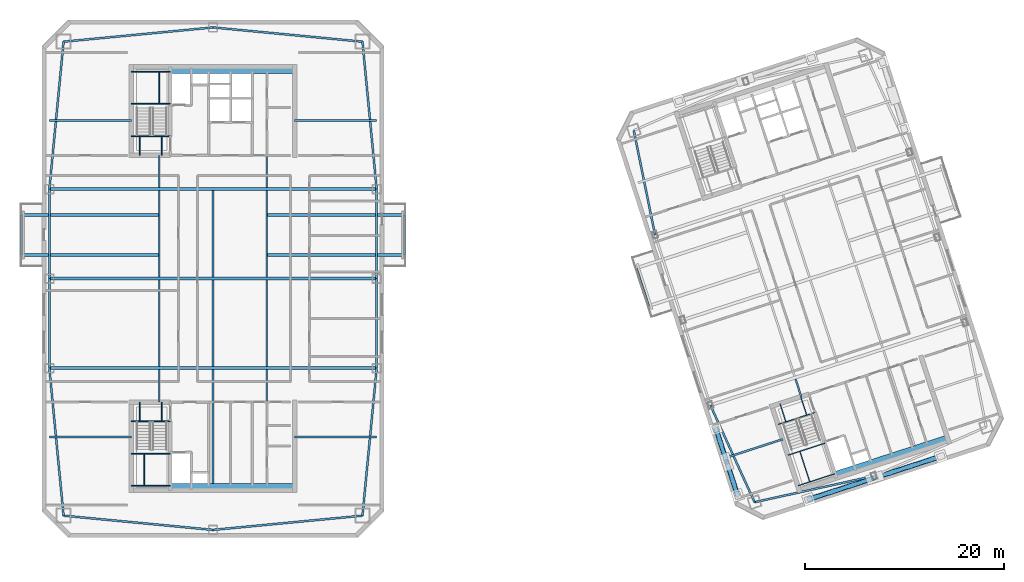
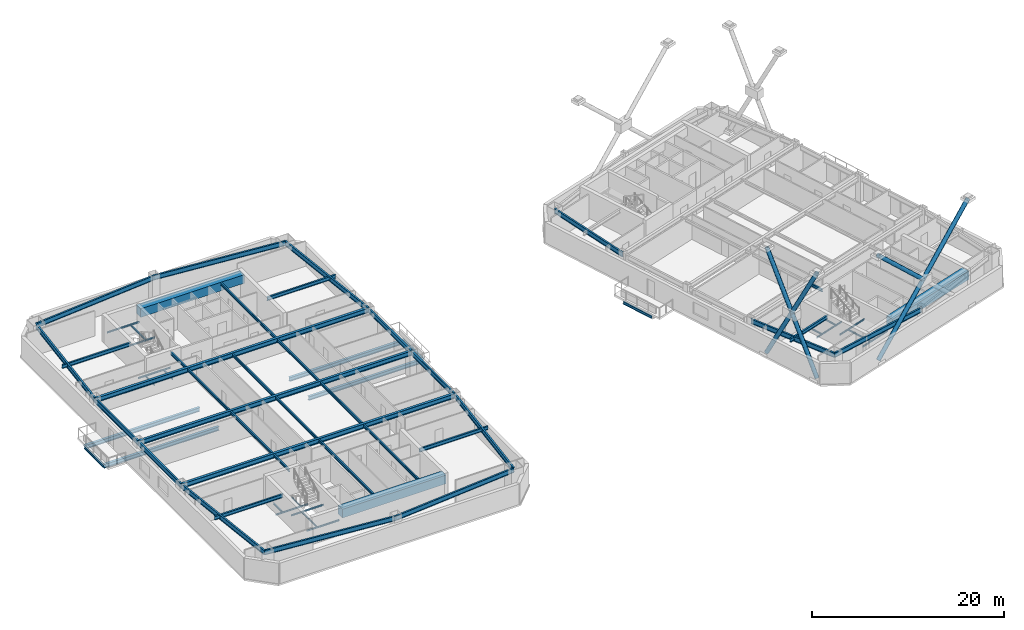
# One storey, part 3 of 16: 63 beams, 7 members.
"""IFC4 building model written with IfcOpenShell, lengths in metres."""

from ifc_helpers import new_model, si_unit, direction, frame, origin, origin_2d, place, context, subcontext, project, spatial, rectangle, hollow_circle, i_section, extrude, material, material_profile, profile_set, type_object, element, save


model = new_model("IFC4")

# Units and contexts
model_context = context("Model", 3, precision=1e-05, world=origin(), true_north=direction((0.0, 1.0)))
body_context = subcontext(model_context, "Body", "Model", "MODEL_VIEW")
ifc_project = project(units=[si_unit("LENGTHUNIT", "METRE"), si_unit("AREAUNIT", "SQUARE_METRE"), si_unit("VOLUMEUNIT", "CUBIC_METRE"), si_unit("PLANEANGLEUNIT", "RADIAN"), si_unit("MASSUNIT", "GRAM", prefix="KILO")], contexts=[model_context])

# Site, building, storey
site_placement = place(None, origin())
site = spatial("IfcSite", under=ifc_project, at=site_placement, CompositionType="ELEMENT")
building_placement = place(site_placement, origin())
building = spatial("IfcBuilding", under=site, at=building_placement, Name="Qiaolan Cultural Towers", CompositionType="ELEMENT")
storey_placement = place(building_placement, frame((0.0, 0.0, 198.949951171875)))
storey = spatial("IfcBuildingStorey", under=building, at=storey_placement, Name="L53", CompositionType="ELEMENT", Elevation=198.949951171875)

# Beams
ifc_material_1 = material(Name="Steel Q355B", Category="steel")
ifc_material_profile_1 = material_profile(ifc_material_1, i_section(OverallWidth=0.300048828125, OverallDepth=0.488037109375, WebThickness=0.010986328125, FlangeThickness=0.01806640625, at=origin_2d()), Name="HM488x300x11x18")
ifc_profile_set_1 = profile_set([ifc_material_profile_1], Name="Steel Q355B")
beam_type_1 = type_object("IfcBeamType", Name="BM-HM488x300x11x18", PredefinedType="BEAM", material=ifc_profile_set_1)
for number, where, z_axis, x_axis, name in (
    (1, (24.60009765625, 36.39990234375, -0.52392578125), (-1.0, 0.0, 0.0), (0.0, -1.0, 0.0), "L53 T1 Tree Balcony Back-Spanned Bracket Beam"),
    (2, (24.60009765625, 40.39990234375, -0.52392578125), (-1.0, 0.0, 0.0), (0.0, -1.0, 0.0), "L53 T1 Tree Balcony Back-Spanned Bracket Beam"),
    (3, (35.39990234375, 36.39990234375, -0.52392578125), (1.0, 0.0, 0.0), (0.0, 1.0, 0.0), "L53 T1 Tree Balcony Back-Spanned Bracket Beam"),
    (4, (35.39990234375, 40.39990234375, -0.52392578125), (1.0, 0.0, 0.0), (0.0, 1.0, 0.0), "L53 T1 Tree Balcony Back-Spanned Bracket Beam"),
):
    element("IfcBeam", number, at=place(storey_placement, frame(where, z_axis=z_axis, x_axis=x_axis)), inside=storey, type_object=beam_type_1, Name=name, PredefinedType="BEAM", context=body_context, shape_type="SweptSolid", body=[
        extrude(i_section(OverallWidth=0.300048828125, OverallDepth=0.488037109375, WebThickness=0.010986328125, FlangeThickness=0.01806640625, at=origin_2d()), origin(), (0.0, 0.0, 1.0), 13.85009765625),
    ])
ifc_material_2 = material(Name="Steel Q355B", Category="steel")
ifc_material_profile_2 = material_profile(ifc_material_2, i_section(OverallWidth=0.300048828125, OverallDepth=0.587890625, WebThickness=0.011962890625, FlangeThickness=0.02001953125, at=origin_2d()), Name="HM588x300x12x20")
ifc_profile_set_2 = profile_set([ifc_material_profile_2], Name="Steel Q355B")
beam_type_2 = type_object("IfcBeamType", Name="BM-HM588x300x12x20", PredefinedType="BEAM", material=ifc_profile_set_2)
for number, where, z_axis, x_axis, name in (
    (5, (13.550048828125, 25.0, 2.89599609375), (1.0, 0.0, 0.0), (0.0, 1.0, 0.0), "L53 T1 Primary Transverse Girder V1"),
    (6, (13.550048828125, 34.0, 2.89599609375), (1.0, 0.0, 0.0), (0.0, 1.0, 0.0), "L53 T1 Primary Transverse Girder V2"),
    (7, (13.550048828125, 43.0, 2.89599609375), (1.0, 0.0, 0.0), (0.0, 1.0, 0.0), "L53 T1 Primary Transverse Girder V3"),
):
    element("IfcBeam", number, at=place(storey_placement, frame(where, z_axis=z_axis, x_axis=x_axis)), inside=storey, type_object=beam_type_2, Name=name, PredefinedType="BEAM", context=body_context, shape_type="SweptSolid", body=[
        extrude(i_section(OverallWidth=0.300048828125, OverallDepth=0.587890625, WebThickness=0.011962890625, FlangeThickness=0.02001953125, at=origin_2d()), origin(), (0.0, 0.0, 1.0), 32.89990234375),
    ])
ifc_material_3 = material(Name="Steel Q355B", Category="steel")
ifc_material_profile_3 = material_profile(ifc_material_3, i_section(OverallWidth=0.175048828125, OverallDepth=0.35009765625, WebThickness=0.007080078125, FlangeThickness=0.010986328125, at=origin_2d()), Name="HN350x175x7x11")
ifc_profile_set_3 = profile_set([ifc_material_profile_3], Name="Steel Q355B")
beam_type_3 = type_object("IfcBeamType", Name="BM-JST-HN350x175x7x11", PredefinedType="JOIST", material=ifc_profile_set_3)
for number, where, z_axis, x_axis, name in (
    (8, (10.75, 36.39990234375, -0.52392578125), (0.0, 1.0, 0.0), (-1.0, 0.0, 0.0), "L53 T1 Tree Balcony Outer Edge Beam"),
    (9, (49.25, 36.39990234375, -0.52392578125), (0.0, 1.0, 0.0), (-1.0, 0.0, 0.0), "L53 T1 Tree Balcony Outer Edge Beam"),
    (10, (73.8037109375, 31.260986328125, -0.52392578125), (-0.309022586479, 0.951054699292, 0.0), (-0.951054699292, -0.309022586479, 0.0), "L53 T2 Tree Balcony Outer Edge Beam"),
):
    element("IfcBeam", number, at=place(storey_placement, frame(where, z_axis=z_axis, x_axis=x_axis)), inside=storey, type_object=beam_type_3, Name=name, PredefinedType="JOIST", context=body_context, shape_type="SweptSolid", body=[
        extrude(i_section(OverallWidth=0.175048828125, OverallDepth=0.35009765625, WebThickness=0.007080078125, FlangeThickness=0.010986328125, at=origin_2d()), origin(), (0.0, 0.0, 1.0), 4.0),
    ])
beam_1_placement = place(storey_placement, frame((24.60009765625, 21.60009765625, 3.01513671875), z_axis=(0.0, 1.0, 0.0), x_axis=(-1.0, 0.0, 0.0)))
element("IfcBeam", 11, at=beam_1_placement, inside=storey, type_object=beam_type_3, Name="L53 T1 Secondary Floor Joist U1-1", PredefinedType="JOIST", context=body_context, shape_type="SweptSolid", body=[
    extrude(i_section(OverallWidth=0.175048828125, OverallDepth=0.35009765625, WebThickness=0.007080078125, FlangeThickness=0.010986328125, at=origin_2d()), origin(), (0.0, 0.0, 1.0), 3.25),
])
for number, where, z_axis, x_axis, name in (
    (12, (24.60009765625, 25.14990234375, 3.01513671875), (0.0, 1.0, 0.0), (-1.0, 0.0, 0.0), "L53 T1 Secondary Floor Joist U1-2"),
    (13, (24.60009765625, 34.14990234375, 3.01513671875), (0.0, 1.0, 0.0), (-1.0, 0.0, 0.0), "L53 T1 Secondary Floor Joist U1-3"),
):
    element("IfcBeam", number, at=place(storey_placement, frame(where, z_axis=z_axis, x_axis=x_axis)), inside=storey, type_object=beam_type_3, Name=name, PredefinedType="JOIST", context=body_context, shape_type="SweptSolid", body=[
        extrude(i_section(OverallWidth=0.175048828125, OverallDepth=0.35009765625, WebThickness=0.007080078125, FlangeThickness=0.010986328125, at=origin_2d()), origin(), (0.0, 0.0, 1.0), 8.7001953125),
    ])
beam_2_placement = place(storey_placement, frame((24.60009765625, 43.14990234375, 3.01513671875), z_axis=(0.0, 1.0, 0.0), x_axis=(-1.0, 0.0, 0.0)))
element("IfcBeam", 14, at=beam_2_placement, inside=storey, type_object=beam_type_3, Name="L53 T1 Secondary Floor Joist U1-4", PredefinedType="JOIST", context=body_context, shape_type="SweptSolid", body=[
    extrude(i_section(OverallWidth=0.175048828125, OverallDepth=0.35009765625, WebThickness=0.007080078125, FlangeThickness=0.010986328125, at=origin_2d()), origin(), (0.0, 0.0, 1.0), 3.25),
])
beam_3_placement = place(storey_placement, frame((30.0, 13.39990234375, 3.01513671875), z_axis=(0.0, 1.0, 0.0), x_axis=(-1.0, 0.0, 0.0)))
element("IfcBeam", 15, at=beam_3_placement, inside=storey, type_object=beam_type_3, Name="L53 T1 Secondary Floor Joist U2-1", PredefinedType="JOIST", context=body_context, shape_type="SweptSolid", body=[
    extrude(i_section(OverallWidth=0.175048828125, OverallDepth=0.35009765625, WebThickness=0.007080078125, FlangeThickness=0.010986328125, at=origin_2d()), origin(), (0.0, 0.0, 1.0), 11.4501953125),
])
for number, where, z_axis, x_axis, name in (
    (16, (30.0, 25.14990234375, 3.01513671875), (0.0, 1.0, 0.0), (-1.0, 0.0, 0.0), "L53 T1 Secondary Floor Joist U2-2"),
    (17, (30.0, 34.14990234375, 3.01513671875), (0.0, 1.0, 0.0), (-1.0, 0.0, 0.0), "L53 T1 Secondary Floor Joist U2-3"),
):
    element("IfcBeam", number, at=place(storey_placement, frame(where, z_axis=z_axis, x_axis=x_axis)), inside=storey, type_object=beam_type_3, Name=name, PredefinedType="JOIST", context=body_context, shape_type="SweptSolid", body=[
        extrude(i_section(OverallWidth=0.175048828125, OverallDepth=0.35009765625, WebThickness=0.007080078125, FlangeThickness=0.010986328125, at=origin_2d()), origin(), (0.0, 0.0, 1.0), 8.7001953125),
    ])
beam_4_placement = place(storey_placement, frame((35.39990234375, 13.39990234375, 3.01513671875), z_axis=(0.0, 1.0, 0.0), x_axis=(-1.0, 0.0, 0.0)))
element("IfcBeam", 18, at=beam_4_placement, inside=storey, type_object=beam_type_3, Name="L53 T1 Secondary Floor Joist U3-1", PredefinedType="JOIST", context=body_context, shape_type="SweptSolid", body=[
    extrude(i_section(OverallWidth=0.175048828125, OverallDepth=0.35009765625, WebThickness=0.007080078125, FlangeThickness=0.010986328125, at=origin_2d()), origin(), (0.0, 0.0, 1.0), 11.4501953125),
])
for number, where, z_axis, x_axis, name in (
    (19, (35.39990234375, 25.14990234375, 3.01513671875), (0.0, 1.0, 0.0), (-1.0, 0.0, 0.0), "L53 T1 Secondary Floor Joist U3-2"),
    (20, (35.39990234375, 34.14990234375, 3.01513671875), (0.0, 1.0, 0.0), (-1.0, 0.0, 0.0), "L53 T1 Secondary Floor Joist U3-3"),
):
    element("IfcBeam", number, at=place(storey_placement, frame(where, z_axis=z_axis, x_axis=x_axis)), inside=storey, type_object=beam_type_3, Name=name, PredefinedType="JOIST", context=body_context, shape_type="SweptSolid", body=[
        extrude(i_section(OverallWidth=0.175048828125, OverallDepth=0.35009765625, WebThickness=0.007080078125, FlangeThickness=0.010986328125, at=origin_2d()), origin(), (0.0, 0.0, 1.0), 8.7001953125),
    ])
beam_5_placement = place(storey_placement, frame((35.39990234375, 43.14990234375, 3.01513671875), z_axis=(0.0, 1.0, 0.0), x_axis=(-1.0, 0.0, 0.0)))
element("IfcBeam", 21, at=beam_5_placement, inside=storey, type_object=beam_type_3, Name="L53 T1 Secondary Floor Joist U3-4", PredefinedType="JOIST", context=body_context, shape_type="SweptSolid", body=[
    extrude(i_section(OverallWidth=0.175048828125, OverallDepth=0.35009765625, WebThickness=0.007080078125, FlangeThickness=0.010986328125, at=origin_2d()), origin(), (0.0, 0.0, 1.0), 11.4501953125),
])
beam_6_placement = place(storey_placement, frame((89.119384765625, 22.147705078125, 3.01513671875), z_axis=(-0.308933885266, 0.951083516067, 0.0), x_axis=(-0.951083516067, -0.308933885266, 0.0)))
element("IfcBeam", 22, at=beam_6_placement, inside=storey, type_object=beam_type_3, Name="L53 T2 Secondary Floor Joist U1-1", PredefinedType="JOIST", context=body_context, shape_type="SweptSolid", body=[
    extrude(i_section(OverallWidth=0.175048828125, OverallDepth=0.35009765625, WebThickness=0.007080078125, FlangeThickness=0.010986328125, at=origin_2d()), origin(), (0.0, 0.0, 1.0), 1.85009765625),
])
ifc_material_4 = material(Name="Steel Q355B", Category="steel")
ifc_material_profile_4 = material_profile(ifc_material_4, i_section(OverallWidth=0.199951171875, OverallDepth=0.449951171875, WebThickness=0.009033203125, FlangeThickness=0.013916015625, at=origin_2d()), Name="HN450x200x9x14")
ifc_profile_set_4 = profile_set([ifc_material_profile_4], Name="Steel Q355B")
beam_type_4 = type_object("IfcBeamType", Name="BM-LNT-HN450x200x9x14", PredefinedType="LINTEL", material=ifc_profile_set_4)
for number, where, z_axis, x_axis, name in (
    (23, (21.800048828125, 18.10009765625, 2.965087890625), (-1.0, 0.0, 0.0), (0.0, -1.0, 0.0), "L53 T1 Core Flank Tie Lintel WS"),
    (24, (21.800048828125, 49.89990234375, 2.965087890625), (-1.0, 0.0, 0.0), (0.0, -1.0, 0.0), "L53 T1 Core Flank Tie Lintel WN"),
    (25, (38.199951171875, 18.10009765625, 2.965087890625), (1.0, 0.0, 0.0), (0.0, 1.0, 0.0), "L53 T1 Core Flank Tie Lintel ES"),
    (26, (38.199951171875, 49.89990234375, 2.965087890625), (1.0, 0.0, 0.0), (0.0, 1.0, 0.0), "L53 T1 Core Flank Tie Lintel EN"),
):
    element("IfcBeam", number, at=place(storey_placement, frame(where, z_axis=z_axis, x_axis=x_axis)), inside=storey, type_object=beam_type_4, Name=name, PredefinedType="LINTEL", context=body_context, shape_type="SweptSolid", body=[
        extrude(i_section(OverallWidth=0.199951171875, OverallDepth=0.449951171875, WebThickness=0.009033203125, FlangeThickness=0.013916015625, at=origin_2d()), origin(), (0.0, 0.0, 1.0), 8.25),
    ])
beam_7_placement = place(storey_placement, frame((87.252685546875, 17.861083984375, 2.965087890625), z_axis=(-0.951063813276, -0.308994535675, 0.0), x_axis=(0.308994535675, -0.951063813276, 0.0)))
element("IfcBeam", 27, at=beam_7_placement, inside=storey, type_object=beam_type_4, Name="L53 T2 Core Flank Tie Lintel WS", PredefinedType="LINTEL", context=body_context, shape_type="SweptSolid", body=[
    extrude(i_section(OverallWidth=0.199951171875, OverallDepth=0.449951171875, WebThickness=0.009033203125, FlangeThickness=0.013916015625, at=origin_2d()), origin(), (0.0, 0.0, 1.0), 5.85009765625),
])
ifc_material_5 = material(Name="Concrete C50", Category="concrete")
ifc_material_profile_5 = material_profile(ifc_material_5, rectangle(XDim=0.89990234375, YDim=1.10009765625, at=origin_2d()), Name="RC900x1100")
ifc_profile_set_5 = profile_set([ifc_material_profile_5], Name="Concrete C50")
beam_type_5 = type_object("IfcBeamType", Name="BM-RC900x1100", PredefinedType="BEAM", material=ifc_profile_set_5)
for number, where, z_axis, x_axis, name in (
    (28, (25.719970703125, 12.949951171875, 2.64013671875), (1.0, 0.0, 0.0), (0.0, 1.0, 0.0), "L53 T1 Core Header Girder S"),
    (29, (25.719970703125, 55.050048828125, 2.64013671875), (1.0, 0.0, 0.0), (0.0, 1.0, 0.0), "L53 T1 Core Header Girder N"),
):
    element("IfcBeam", number, at=place(storey_placement, frame(where, z_axis=z_axis, x_axis=x_axis)), inside=storey, type_object=beam_type_5, Name=name, PredefinedType="BEAM", context=body_context, shape_type="SweptSolid", body=[
        extrude(rectangle(XDim=0.89990234375, YDim=1.10009765625, at=origin_2d()), origin(), (0.0, 0.0, 1.0), 12.47998046875),
    ])
beam_8_placement = place(storey_placement, frame((92.572265625, 14.174560546875, 2.64013671875), z_axis=(0.951056266386, 0.309017763514, 0.0), x_axis=(-0.309017763514, 0.951056266386, 0.0)))
element("IfcBeam", 30, at=beam_8_placement, inside=storey, type_object=beam_type_5, Name="L53 T2 Core Header Girder S", PredefinedType="BEAM", context=body_context, shape_type="SweptSolid", body=[
    extrude(rectangle(XDim=0.89990234375, YDim=1.10009765625, at=origin_2d()), origin(), (0.0, 0.0, 1.0), 11.880126953125),
])
ifc_material_6 = material(Name="Steel Q355B", Category="steel")
ifc_material_profile_6 = material_profile(ifc_material_6, i_section(OverallWidth=0.199951171875, OverallDepth=0.60009765625, WebThickness=0.010986328125, FlangeThickness=0.01708984375, at=origin_2d()), Name="HN600x200x11x17")
ifc_profile_set_6 = profile_set([ifc_material_profile_6], Name="Steel Q355B")
beam_type_6 = type_object("IfcBeamType", Name="BM-SPD-HN600x200x11x17", PredefinedType="SPANDREL", material=ifc_profile_set_6)
for number, where, z_axis, x_axis, name in (
    (31, (14.97998046875, 10.179931640625, 2.89013671875), (0.995498889995, -0.094773203061, 0.0), (0.094773203061, 0.995498889995, 0.0), "L53 T1 Perimeter Spandrel Beam 1"),
    (32, (30.0, 8.75, 2.89013671875), (0.995498889995, 0.094773203061, 0.0), (-0.094773203061, 0.995498889995, 0.0), "L53 T1 Perimeter Spandrel Beam 2"),
):
    element("IfcBeam", number, at=place(storey_placement, frame(where, z_axis=z_axis, x_axis=x_axis)), inside=storey, type_object=beam_type_6, Name=name, PredefinedType="SPANDREL", context=body_context, shape_type="SweptSolid", body=[
        extrude(i_section(OverallWidth=0.199951171875, OverallDepth=0.60009765625, WebThickness=0.010986328125, FlangeThickness=0.01708984375, at=origin_2d()), origin(), (0.0, 0.0, 1.0), 15.087890625),
    ])
beam_9_placement = place(storey_placement, frame((45.02001953125, 10.179931640625, 2.89013671875), z_axis=(0.096040159186, 0.995377459974, 0.0), x_axis=(-0.995377459974, 0.096040159186, 0.0)))
element("IfcBeam", 33, at=beam_9_placement, inside=storey, type_object=beam_type_6, Name="L53 T1 Perimeter Spandrel Beam 3", PredefinedType="SPANDREL", context=body_context, shape_type="SweptSolid", body=[
    extrude(i_section(OverallWidth=0.199951171875, OverallDepth=0.60009765625, WebThickness=0.010986328125, FlangeThickness=0.01708984375, at=origin_2d()), origin(), (0.0, 0.0, 1.0), 14.888916015625),
])
for number, where, z_axis, x_axis, name in (
    (34, (46.449951171875, 25.0, 2.89013671875), (0.0, 1.0, 0.0), (-1.0, 0.0, 0.0), "L53 T1 Perimeter Spandrel Beam 4"),
    (35, (46.449951171875, 34.0, 2.89013671875), (0.0, 1.0, 0.0), (-1.0, 0.0, 0.0), "L53 T1 Perimeter Spandrel Beam 5"),
):
    element("IfcBeam", number, at=place(storey_placement, frame(where, z_axis=z_axis, x_axis=x_axis)), inside=storey, type_object=beam_type_6, Name=name, PredefinedType="SPANDREL", context=body_context, shape_type="SweptSolid", body=[
        extrude(i_section(OverallWidth=0.199951171875, OverallDepth=0.60009765625, WebThickness=0.010986328125, FlangeThickness=0.01708984375, at=origin_2d()), origin(), (0.0, 0.0, 1.0), 9.0),
    ])
beam_10_placement = place(storey_placement, frame((46.449951171875, 43.0, 2.89013671875), z_axis=(-0.096040159186, 0.995377459974, 0.0), x_axis=(-0.995377459974, -0.096040159186, 0.0)))
element("IfcBeam", 36, at=beam_10_placement, inside=storey, type_object=beam_type_6, Name="L53 T1 Perimeter Spandrel Beam 6", PredefinedType="SPANDREL", context=body_context, shape_type="SweptSolid", body=[
    extrude(i_section(OverallWidth=0.199951171875, OverallDepth=0.60009765625, WebThickness=0.010986328125, FlangeThickness=0.01708984375, at=origin_2d()), origin(), (0.0, 0.0, 1.0), 14.888916015625),
])
for number, where, z_axis, x_axis, name in (
    (37, (45.02001953125, 57.820068359375, 2.89013671875), (-0.995498889995, 0.094773203061, 0.0), (-0.094773203061, -0.995498889995, 0.0), "L53 T1 Perimeter Spandrel Beam 7"),
    (38, (30.0, 59.25, 2.89013671875), (-0.995498889995, -0.094773203061, 0.0), (0.094773203061, -0.995498889995, 0.0), "L53 T1 Perimeter Spandrel Beam 8"),
):
    element("IfcBeam", number, at=place(storey_placement, frame(where, z_axis=z_axis, x_axis=x_axis)), inside=storey, type_object=beam_type_6, Name=name, PredefinedType="SPANDREL", context=body_context, shape_type="SweptSolid", body=[
        extrude(i_section(OverallWidth=0.199951171875, OverallDepth=0.60009765625, WebThickness=0.010986328125, FlangeThickness=0.01708984375, at=origin_2d()), origin(), (0.0, 0.0, 1.0), 15.087890625),
    ])
beam_11_placement = place(storey_placement, frame((14.97998046875, 57.820068359375, 2.89013671875), z_axis=(-0.096040159186, -0.995377459974, 0.0), x_axis=(0.995377459974, -0.096040159186, 0.0)))
element("IfcBeam", 39, at=beam_11_placement, inside=storey, type_object=beam_type_6, Name="L53 T1 Perimeter Spandrel Beam 9", PredefinedType="SPANDREL", context=body_context, shape_type="SweptSolid", body=[
    extrude(i_section(OverallWidth=0.199951171875, OverallDepth=0.60009765625, WebThickness=0.010986328125, FlangeThickness=0.01708984375, at=origin_2d()), origin(), (0.0, 0.0, 1.0), 14.888916015625),
])
for number, where, z_axis, x_axis, name in (
    (40, (13.550048828125, 43.0, 2.89013671875), (0.0, -1.0, 0.0), (1.0, 0.0, 0.0), "L53 T1 Perimeter Spandrel Beam 10"),
    (41, (13.550048828125, 34.0, 2.89013671875), (0.0, -1.0, 0.0), (1.0, 0.0, 0.0), "L53 T1 Perimeter Spandrel Beam 11"),
):
    element("IfcBeam", number, at=place(storey_placement, frame(where, z_axis=z_axis, x_axis=x_axis)), inside=storey, type_object=beam_type_6, Name=name, PredefinedType="SPANDREL", context=body_context, shape_type="SweptSolid", body=[
        extrude(i_section(OverallWidth=0.199951171875, OverallDepth=0.60009765625, WebThickness=0.010986328125, FlangeThickness=0.01708984375, at=origin_2d()), origin(), (0.0, 0.0, 1.0), 9.0),
    ])
beam_12_placement = place(storey_placement, frame((13.550048828125, 25.0, 2.89013671875), z_axis=(0.096040159186, -0.995377459974, 0.0), x_axis=(0.995377459974, 0.096040159186, 0.0)))
element("IfcBeam", 42, at=beam_12_placement, inside=storey, type_object=beam_type_6, Name="L53 T1 Perimeter Spandrel Beam 12", PredefinedType="SPANDREL", context=body_context, shape_type="SweptSolid", body=[
    extrude(i_section(OverallWidth=0.199951171875, OverallDepth=0.60009765625, WebThickness=0.010986328125, FlangeThickness=0.01708984375, at=origin_2d()), origin(), (0.0, 0.0, 1.0), 14.888916015625),
])
beam_13_placement = place(storey_placement, frame((84.42822265625, 11.538818359375, 2.89013671875), z_axis=(0.976843395078, 0.213955559619, 0.0), x_axis=(-0.213955559619, 0.976843395078, 0.0)))
element("IfcBeam", 43, at=beam_13_placement, inside=storey, type_object=beam_type_6, Name="L53 T2 Perimeter Spandrel Beam 1", PredefinedType="SPANDREL", context=body_context, shape_type="SweptSolid", body=[
    extrude(i_section(OverallWidth=0.199951171875, OverallDepth=0.60009765625, WebThickness=0.010986328125, FlangeThickness=0.01708984375, at=origin_2d()), origin(), (0.0, 0.0, 1.0), 12.2998046875),
])
for number, where, z_axis, x_axis, name in (
    (44, (72.2900390625, 48.896484375, 2.89013671875), (0.199578538116, -0.979881833245, 0.0), (0.979881833245, 0.199578538116, 0.0), "L53 T2 Perimeter Spandrel Beam 9"),
    (45, (79.989501953125, 21.2841796875, 2.89013671875), (0.414500208282, -0.910049216985, 0.0), (0.910049216985, 0.414500208282, 0.0), "L53 T2 Perimeter Spandrel Beam 12"),
):
    element("IfcBeam", number, at=place(storey_placement, frame(where, z_axis=z_axis, x_axis=x_axis)), inside=storey, type_object=beam_type_6, Name=name, PredefinedType="SPANDREL", context=body_context, shape_type="SweptSolid", body=[
        extrude(i_section(OverallWidth=0.199951171875, OverallDepth=0.60009765625, WebThickness=0.010986328125, FlangeThickness=0.01708984375, at=origin_2d()), origin(), (0.0, 0.0, 1.0), 10.70849609375),
    ])
ifc_material_7 = material(Name="Steel Q355B", Category="steel")
ifc_material_profile_7 = material_profile(ifc_material_7, i_section(OverallWidth=0.10009765625, OverallDepth=0.199951171875, WebThickness=0.005615234375, FlangeThickness=0.008056640625, at=origin_2d()), Name="HN200x100x5.5x8")
ifc_profile_set_7 = profile_set([ifc_material_profile_7], Name="Steel Q355B")
beam_type_7 = type_object("IfcBeamType", Name="BM-STTRIM-200", PredefinedType="BEAM", material=ifc_profile_set_7)
beam_14_placement = place(storey_placement, frame((21.800048828125, 19.659912109375, -0.4599609375), z_axis=(1.0, 0.0, 0.0), x_axis=(0.0, 1.0, 0.0)))
element("IfcBeam", 46, at=beam_14_placement, inside=storey, type_object=beam_type_7, Name="L53 ST-W1 Floor Landing Header Beam", PredefinedType="BEAM", context=body_context, shape_type="SweptSolid", body=[
    extrude(i_section(OverallWidth=0.10009765625, OverallDepth=0.199951171875, WebThickness=0.005615234375, FlangeThickness=0.008056640625, at=origin_2d()), origin(), (0.0, 0.0, 1.0), 3.919921875),
])
for number, where, z_axis, x_axis, name in (
    (47, (22.64990234375, 21.60009765625, -0.4599609375), (0.0, -1.0, 0.0), (1.0, 0.0, 0.0), "L53 ST-W1 Floor Landing Stringer 1"),
    (48, (24.85009765625, 21.60009765625, -0.4599609375), (0.0, -1.0, 0.0), (1.0, 0.0, 0.0), "L53 ST-W1 Floor Landing Stringer 2"),
):
    element("IfcBeam", number, at=place(storey_placement, frame(where, z_axis=z_axis, x_axis=x_axis)), inside=storey, type_object=beam_type_7, Name=name, PredefinedType="BEAM", context=body_context, shape_type="SweptSolid", body=[
        extrude(i_section(OverallWidth=0.10009765625, OverallDepth=0.199951171875, WebThickness=0.005615234375, FlangeThickness=0.008056640625, at=origin_2d()), origin(), (0.0, 0.0, 1.0), 1.940185546875),
    ])
for number, where, z_axis, x_axis, name in (
    (49, (21.800048828125, 16.411376953125, 1.425048828125), (1.0, 0.0, 0.0), (0.0, 1.0, 0.0), "L53 ST-W1 Stair Landing Support Beam 1-1"),
    (50, (21.800048828125, 13.179931640625, 1.425048828125), (1.0, 0.0, 0.0), (0.0, 1.0, 0.0), "L53 ST-W1 Stair Landing Support Beam 1-2"),
):
    element("IfcBeam", number, at=place(storey_placement, frame(where, z_axis=z_axis, x_axis=x_axis)), inside=storey, type_object=beam_type_7, Name=name, PredefinedType="BEAM", context=body_context, shape_type="SweptSolid", body=[
        extrude(i_section(OverallWidth=0.10009765625, OverallDepth=0.199951171875, WebThickness=0.005615234375, FlangeThickness=0.008056640625, at=origin_2d()), origin(), (0.0, 0.0, 1.0), 3.919921875),
    ])
beam_15_placement = place(storey_placement, frame((23.070068359375, 16.411376953125, 1.425048828125), z_axis=(0.0, -1.0, 0.0), x_axis=(1.0, 0.0, 0.0)))
element("IfcBeam", 51, at=beam_15_placement, inside=storey, type_object=beam_type_7, Name="L53 ST-W1 Stair Landing Trimmer 1", PredefinedType="BEAM", context=body_context, shape_type="SweptSolid", body=[
    extrude(i_section(OverallWidth=0.10009765625, OverallDepth=0.199951171875, WebThickness=0.005615234375, FlangeThickness=0.008056640625, at=origin_2d()), origin(), (0.0, 0.0, 1.0), 3.2314453125),
])
beam_16_placement = place(storey_placement, frame((21.800048828125, 48.340087890625, -0.4599609375), z_axis=(1.0, 0.0, 0.0), x_axis=(0.0, 1.0, 0.0)))
element("IfcBeam", 52, at=beam_16_placement, inside=storey, type_object=beam_type_7, Name="L53 ST-W2 Floor Landing Header Beam", PredefinedType="BEAM", context=body_context, shape_type="SweptSolid", body=[
    extrude(i_section(OverallWidth=0.10009765625, OverallDepth=0.199951171875, WebThickness=0.005615234375, FlangeThickness=0.008056640625, at=origin_2d()), origin(), (0.0, 0.0, 1.0), 3.919921875),
])
for number, where, z_axis, x_axis, name in (
    (53, (22.64990234375, 46.39990234375, -0.4599609375), (0.0, 1.0, 0.0), (-1.0, 0.0, 0.0), "L53 ST-W2 Floor Landing Stringer 1"),
    (54, (24.85009765625, 46.39990234375, -0.4599609375), (0.0, 1.0, 0.0), (-1.0, 0.0, 0.0), "L53 ST-W2 Floor Landing Stringer 2"),
):
    element("IfcBeam", number, at=place(storey_placement, frame(where, z_axis=z_axis, x_axis=x_axis)), inside=storey, type_object=beam_type_7, Name=name, PredefinedType="BEAM", context=body_context, shape_type="SweptSolid", body=[
        extrude(i_section(OverallWidth=0.10009765625, OverallDepth=0.199951171875, WebThickness=0.005615234375, FlangeThickness=0.008056640625, at=origin_2d()), origin(), (0.0, 0.0, 1.0), 1.940185546875),
    ])
for number, where, z_axis, x_axis, name in (
    (55, (21.800048828125, 51.588623046875, 1.425048828125), (1.0, 0.0, 0.0), (0.0, 1.0, 0.0), "L53 ST-W2 Stair Landing Support Beam 1-1"),
    (56, (21.800048828125, 54.820068359375, 1.425048828125), (1.0, 0.0, 0.0), (0.0, 1.0, 0.0), "L53 ST-W2 Stair Landing Support Beam 1-2"),
):
    element("IfcBeam", number, at=place(storey_placement, frame(where, z_axis=z_axis, x_axis=x_axis)), inside=storey, type_object=beam_type_7, Name=name, PredefinedType="BEAM", context=body_context, shape_type="SweptSolid", body=[
        extrude(i_section(OverallWidth=0.10009765625, OverallDepth=0.199951171875, WebThickness=0.005615234375, FlangeThickness=0.008056640625, at=origin_2d()), origin(), (0.0, 0.0, 1.0), 3.919921875),
    ])
beam_17_placement = place(storey_placement, frame((24.610107421875, 51.588623046875, 1.425048828125), z_axis=(0.0, 1.0, 0.0), x_axis=(-1.0, 0.0, 0.0)))
element("IfcBeam", 57, at=beam_17_placement, inside=storey, type_object=beam_type_7, Name="L53 ST-W2 Stair Landing Trimmer 1", PredefinedType="BEAM", context=body_context, shape_type="SweptSolid", body=[
    extrude(i_section(OverallWidth=0.10009765625, OverallDepth=0.199951171875, WebThickness=0.005615234375, FlangeThickness=0.008056640625, at=origin_2d()), origin(), (0.0, 0.0, 1.0), 3.2314453125),
])
beam_18_placement = place(storey_placement, frame((86.770751953125, 19.3447265625, -0.4599609375), z_axis=(0.951047798727, 0.309043823005, 0.0), x_axis=(-0.309043823005, 0.951047798727, 0.0)))
element("IfcBeam", 58, at=beam_18_placement, inside=storey, type_object=beam_type_7, Name="L53 ST-E1 Floor Landing Header Beam", PredefinedType="BEAM", context=body_context, shape_type="SweptSolid", body=[
    extrude(i_section(OverallWidth=0.10009765625, OverallDepth=0.199951171875, WebThickness=0.005615234375, FlangeThickness=0.008056640625, at=origin_2d()), origin(), (0.0, 0.0, 1.0), 3.919921875),
])
for number, where, z_axis, x_axis, name in (
    (59, (86.9794921875, 21.452392578125, -0.4599609375), (0.309083226701, -0.951034993558, 0.0), (0.951034993558, 0.309083226701, 0.0), "L53 ST-E1 Floor Landing Stringer 1"),
    (60, (89.07177734375, 22.13232421875, -0.4599609375), (0.309083226701, -0.951034993558, 0.0), (0.951034993558, 0.309083226701, 0.0), "L53 ST-E1 Floor Landing Stringer 2"),
):
    element("IfcBeam", number, at=place(storey_placement, frame(where, z_axis=z_axis, x_axis=x_axis)), inside=storey, type_object=beam_type_7, Name=name, PredefinedType="BEAM", context=body_context, shape_type="SweptSolid", body=[
        extrude(i_section(OverallWidth=0.10009765625, OverallDepth=0.199951171875, WebThickness=0.005615234375, FlangeThickness=0.008056640625, at=origin_2d()), origin(), (0.0, 0.0, 1.0), 1.93994140625),
    ])
for number, where, z_axis, x_axis, name in (
    (61, (87.774658203125, 16.255126953125, 1.425048828125), (0.951047798727, 0.309043823005, 0.0), (-0.309043823005, 0.951047798727, 0.0), "L53 ST-E1 Stair Landing Support Beam 1-1"),
    (62, (88.773193359375, 13.181884765625, 1.425048828125), (0.951047798727, 0.309043823005, 0.0), (-0.309043823005, 0.951047798727, 0.0), "L53 ST-E1 Stair Landing Support Beam 1-2"),
):
    element("IfcBeam", number, at=place(storey_placement, frame(where, z_axis=z_axis, x_axis=x_axis)), inside=storey, type_object=beam_type_7, Name=name, PredefinedType="BEAM", context=body_context, shape_type="SweptSolid", body=[
        extrude(i_section(OverallWidth=0.10009765625, OverallDepth=0.199951171875, WebThickness=0.005615234375, FlangeThickness=0.008056640625, at=origin_2d()), origin(), (0.0, 0.0, 1.0), 3.919921875),
    ])
beam_19_placement = place(storey_placement, frame((88.982421875, 16.6474609375, 1.425048828125), z_axis=(0.309033108495, -0.951051280349, 0.0), x_axis=(0.951051280349, 0.309033108495, 0.0)))
element("IfcBeam", 63, at=beam_19_placement, inside=storey, type_object=beam_type_7, Name="L53 ST-E1 Stair Landing Trimmer 1", PredefinedType="BEAM", context=body_context, shape_type="SweptSolid", body=[
    extrude(i_section(OverallWidth=0.10009765625, OverallDepth=0.199951171875, WebThickness=0.005615234375, FlangeThickness=0.008056640625, at=origin_2d()), origin(), (0.0, 0.0, 1.0), 3.231201171875),
])

# Members
ifc_material_8 = material(Name="Steel Q355B", Category="steel")
ifc_material_profile_8 = material_profile(ifc_material_8, hollow_circle(Radius=0.25, WallThickness=0.02490234375, at=origin_2d()), Name="CHS500x25")
ifc_profile_set_8 = profile_set([ifc_material_profile_8], Name="Steel Q355B")
member_type = type_object("IfcMemberType", Name="MBR-BRC-CHS500x25", PredefinedType="BRACE", material=ifc_profile_set_8)
member_1_placement = place(storey_placement, frame((82.719482421875, 12.23486328125, 0.150146484375), z_axis=(-0.14431495082, 0.444135568056, 0.884260590639), x_axis=(-0.951052389726, -0.30902969436, 0.0)))
element("IfcMember", 64, at=member_1_placement, inside=storey, type_object=member_type, Name="T2 WEST Perimeter Frame Diagonal E-Z4-M1-D1A", PredefinedType="BRACE", context=body_context, shape_type="SweptSolid", body=[
    extrude(hollow_circle(Radius=0.25, WallThickness=0.02490234375, at=origin_2d()), origin(), (0.0, 0.0, 1.0), 7.54833984375),
])
member_2_placement = place(storey_placement, frame((81.630126953125, 15.58740234375, 6.824951171875), z_axis=(-0.144310823552, 0.444122866209, 0.884267643825), x_axis=(-0.951052389726, -0.30902969436, 0.0)))
element("IfcMember", 65, at=member_2_placement, inside=storey, type_object=member_type, Name="T2 WEST Perimeter Frame Diagonal E-Z4-M1-D1B", PredefinedType="BRACE", context=body_context, shape_type="SweptSolid", body=[
    extrude(hollow_circle(Radius=0.25, WallThickness=0.02490234375, at=origin_2d()), origin(), (0.0, 0.0, 1.0), 7.548583984375),
])
member_3_placement = place(storey_placement, frame((80.540771484375, 18.93994140625, 0.150146484375), z_axis=(0.14431495082, -0.444135568056, 0.884260590639), x_axis=(0.951052389726, 0.30902969436, 0.0)))
element("IfcMember", 66, at=member_3_placement, inside=storey, type_object=member_type, Name="T2 WEST Perimeter Frame Diagonal E-Z4-M1-D2A", PredefinedType="BRACE", context=body_context, shape_type="SweptSolid", body=[
    extrude(hollow_circle(Radius=0.25, WallThickness=0.02490234375, at=origin_2d()), origin(), (0.0, 0.0, 1.0), 7.54833984375),
])
member_4_placement = place(storey_placement, frame((81.630126953125, 15.58740234375, 6.824951171875), z_axis=(0.144310823552, -0.444122866209, 0.884267643825), x_axis=(0.951052389726, 0.30902969436, 0.0)))
element("IfcMember", 67, at=member_4_placement, inside=storey, type_object=member_type, Name="T2 WEST Perimeter Frame Diagonal E-Z4-M1-D2B", PredefinedType="BRACE", context=body_context, shape_type="SweptSolid", body=[
    extrude(hollow_circle(Radius=0.25, WallThickness=0.02490234375, at=origin_2d()), origin(), (0.0, 0.0, 1.0), 7.548583984375),
])
for number, where, z_axis, x_axis, name in (
    (68, (89.847412109375, 11.817138671875, 0.150146484375), (0.688300959012, 0.223636601887, 0.690093080765), (-0.309009574742, 0.951058927048, 0.0), "T2 SOUTH Perimeter Frame Diagonal E-Z4-M1-D1A"),
    (69, (96.5048828125, 13.980224609375, 6.824951171875), (0.688275686288, 0.223636591628, 0.690118290259), (-0.309019824916, 0.951055596592, 0.0), "T2 SOUTH Perimeter Frame Diagonal E-Z4-M1-D1B"),
):
    element("IfcMember", number, at=place(storey_placement, frame(where, z_axis=z_axis, x_axis=x_axis)), inside=storey, type_object=member_type, Name=name, PredefinedType="BRACE", context=body_context, shape_type="SweptSolid", body=[
        extrude(hollow_circle(Radius=0.25, WallThickness=0.02490234375, at=origin_2d()), origin(), (0.0, 0.0, 1.0), 9.67236328125),
    ])
member_5_placement = place(storey_placement, frame((96.5048828125, 13.980224609375, 6.824951171875), z_axis=(-0.688288969768, -0.223632706448, 0.690106301016), x_axis=(0.309009574742, -0.951058927048, 0.0)))
element("IfcMember", 70, at=member_5_placement, inside=storey, type_object=member_type, Name="T2 SOUTH Perimeter Frame Diagonal E-Z4-M1-D2B", PredefinedType="BRACE", context=body_context, shape_type="SweptSolid", body=[
    extrude(hollow_circle(Radius=0.25, WallThickness=0.02490234375, at=origin_2d()), origin(), (0.0, 0.0, 1.0), 9.672607421875),
])

save(model, "model.ifc")
